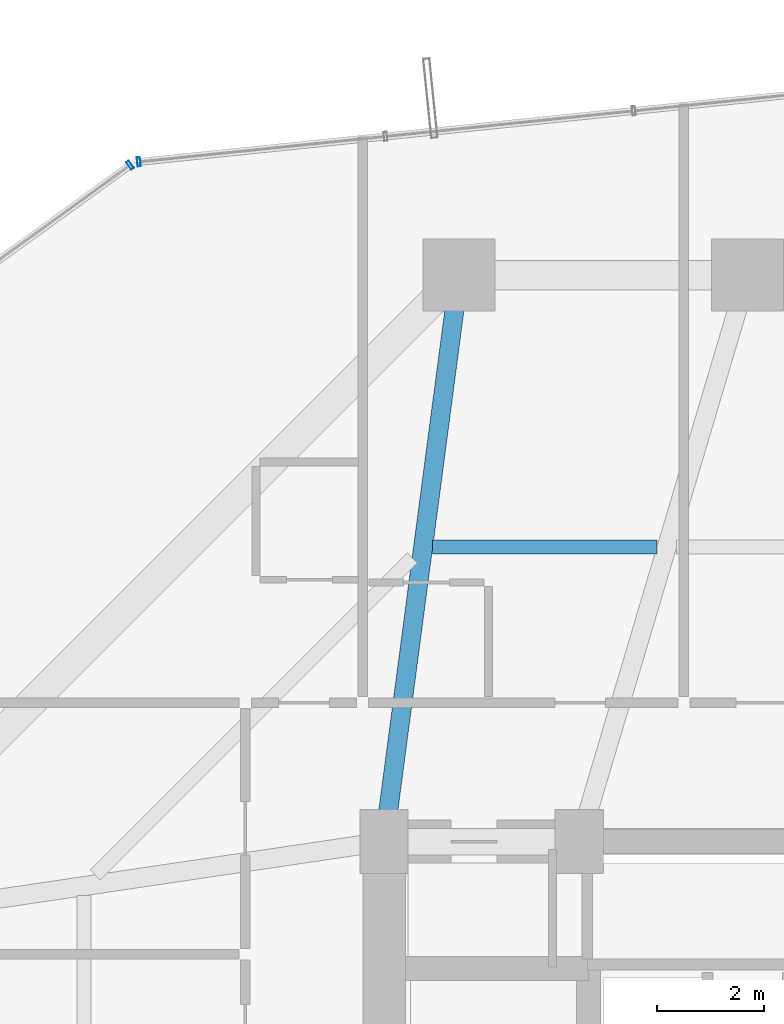
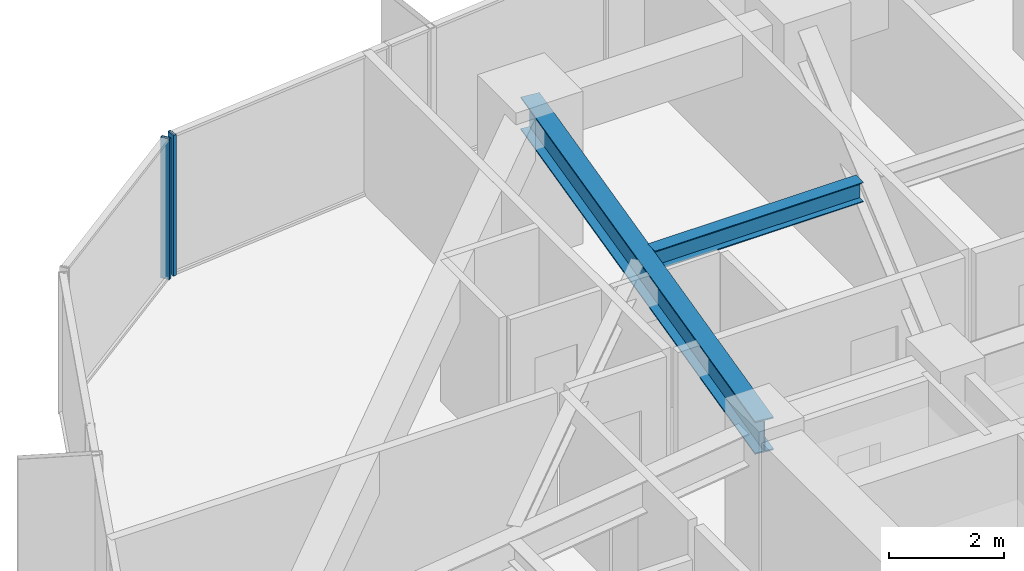
# One storey, part 23 of 37: 2 beams, 2 members, 2 elements without a shape of their own.
"""IFC4 building model written with IfcOpenShell, lengths in metres."""

from ifc_helpers import new_model, si_unit, direction, frame, origin, origin_2d, place, context, subcontext, project, spatial, hollow_rectangle, i_section, extrude, source, transform, mapped, material, layer, layer_set, material_profile, profile_set, type_object, element, aggregate, save


model = new_model("IFC4")

# Units and contexts
model_context = context("Model", 3, precision=1e-05, world=origin(), true_north=direction((0.0, 1.0)))
body_context = subcontext(model_context, "Body", "Model", "MODEL_VIEW")
ifc_project = project(units=[si_unit("LENGTHUNIT", "METRE"), si_unit("AREAUNIT", "SQUARE_METRE"), si_unit("VOLUMEUNIT", "CUBIC_METRE"), si_unit("PLANEANGLEUNIT", "RADIAN"), si_unit("MASSUNIT", "GRAM", prefix="KILO")], contexts=[model_context])

# Site, building, storey
site_placement = place(None, origin())
site = spatial("IfcSite", under=ifc_project, at=site_placement, CompositionType="ELEMENT")
building_placement = place(site_placement, origin())
building = spatial("IfcBuilding", under=site, at=building_placement, Name="Veraguas Prism Commons", CompositionType="ELEMENT")
storey_placement = place(building_placement, frame((0.0, 0.0, 43.550048828125)))
storey = spatial("IfcBuildingStorey", under=building, at=storey_placement, Name="L11", CompositionType="ELEMENT", Elevation=43.550048828125)

# Beams
ifc_material_1 = material(Name="Steel ASTM A992 Grade 50", Category="steel")
ifc_material_profile_1 = material_profile(ifc_material_1, i_section(OverallWidth=0.260986328125, OverallDepth=0.419921875, WebThickness=0.01171875, FlangeThickness=0.019287109375, at=origin_2d()), Name="W410X114")
ifc_profile_set_1 = profile_set([ifc_material_profile_1], Name="Steel ASTM A992 Grade 50")
beam_type_1 = type_object("IfcBeamType", Name="Lower Floor Joist W410x114", PredefinedType="JOIST", material=ifc_profile_set_1)
beam_1_placement = place(storey_placement, frame((22.304443359375, 36.511962890625, 2.7900390625), z_axis=(-1.0, 0.0, 0.0), x_axis=(0.0, -1.0, 0.0)))
element("IfcBeam", 1, at=beam_1_placement, inside=storey, type_object=beam_type_1, Name="Composite Floor Joist L11-JS05", PredefinedType="JOIST", context=body_context, shape_type="SweptSolid", body=[
    extrude(i_section(OverallWidth=0.260986328125, OverallDepth=0.419921875, WebThickness=0.01171875, FlangeThickness=0.019287109375, at=origin_2d()), origin(), (0.0, 0.0, 1.0), 4.198974609375),
])
ifc_material_profile_2 = material_profile(ifc_material_1, i_section(OverallWidth=0.35595703125, OverallDepth=0.700927734375, WebThickness=0.016845703125, FlangeThickness=0.02734375, at=origin_2d()), Name="W690X240")
ifc_profile_set_2 = profile_set([ifc_material_profile_2], Name="Steel ASTM A992 Grade 50")
beam_type_2 = type_object("IfcBeamType", Name="Zone 1 Radial Girder W690x240", PredefinedType="BEAM", material=ifc_profile_set_2)
beam_2_placement = place(storey_placement, frame((18.60009765625, 41.60009765625, 2.6494140625), z_axis=(-0.130950648891, -0.991388888154, 0.0), x_axis=(0.991388888154, -0.130950648891, 0.0)))
element("IfcBeam", 2, at=beam_2_placement, inside=storey, type_object=beam_type_2, Name="Radial Floor Girder L11-RD06", PredefinedType="BEAM", context=body_context, shape_type="SweptSolid", body=[
    extrude(i_section(OverallWidth=0.35595703125, OverallDepth=0.700927734375, WebThickness=0.016845703125, FlangeThickness=0.02734375, at=origin_2d()), origin(), (0.0, 0.0, 1.0), 10.692138671875),
])

# Curtain wall, member
ifc_material_2 = material(Name="Anodised aluminium EN AW-6063 T6", Category="aluminium")
ifc_layer = layer(ifc_material_2, 0.169921875, Name="Unitised Flush Curtain Wall Zone 1", Category="aluminium")
ifc_layer_set = layer_set([ifc_layer], Name="Anodised aluminium EN AW-6063 T6")
curtain_wall_type = type_object("IfcCurtainWallType", Name="Unitised Flush Curtain Wall Zone 1", PredefinedType="NOTDEFINED", material=ifc_layer_set)
curtain_wall_1_placement = place(storey_placement, origin())
curtain_wall_1 = element("IfcCurtainWall", 3, at=curtain_wall_1_placement, inside=storey, type_object=curtain_wall_type, Name="Tower Facade Curtain Wall L11-F2", PredefinedType="NOTDEFINED")
ifc_material_profile_3 = material_profile(ifc_material_2, hollow_rectangle(XDim=0.06005859375, YDim=0.169921875, WallThickness=0.00390625, at=origin_2d()), Name="AL60X170X4")
ifc_profile_set_3 = profile_set([ifc_material_profile_3], Name="Anodised aluminium EN AW-6063 T6")
member_type = type_object("IfcMemberType", Name="Curtain Wall Mullion Lower AL 60x170x4", PredefinedType="MULLION", material=ifc_profile_set_3)
shared_shape = source(origin(), body_context, "Body", "SweptSolid", [
    extrude(hollow_rectangle(XDim=0.06005859375, YDim=0.169921875, WallThickness=0.00390625, at=origin_2d()), origin(), (0.0, 0.0, 1.0), 3.0),
])
member_1_placement = place(storey_placement, frame((12.60791015625, 43.72119140625, 0.0), z_axis=(0.0, 0.0, 1.0), x_axis=(-0.994738459078, -0.102447049893, 0.0)))
member_1 = element("IfcMember", 4, at=member_1_placement, type_object=member_type, Name="CW-Z1 Mullion 5", PredefinedType="MULLION", context=body_context, shape_type="MappedRepresentation", body=[
    mapped(shared_shape, transform((0.0, 0.0, 0.0), scale=1.0)),
])
aggregate(curtain_wall_1, [member_1])

curtain_wall_2_placement = place(storey_placement, origin())
curtain_wall_2 = element("IfcCurtainWall", 5, at=curtain_wall_2_placement, inside=storey, type_object=curtain_wall_type, Name="Chamfer Curtain Wall L11-C3", PredefinedType="NOTDEFINED")
member_2_placement = place(storey_placement, frame((12.4453125, 43.659423828125, 0.0), z_axis=(0.0, 0.0, 1.0), x_axis=(-0.810263662927, -0.586065522395, 0.0)))
member_2 = element("IfcMember", 6, at=member_2_placement, type_object=member_type, Name="CW-Z1 Mullion 1", PredefinedType="MULLION", context=body_context, shape_type="MappedRepresentation", body=[
    mapped(shared_shape, transform((0.0, 0.0, 0.0), scale=1.0)),
])
aggregate(curtain_wall_2, [member_2])

save(model, "model.ifc")
